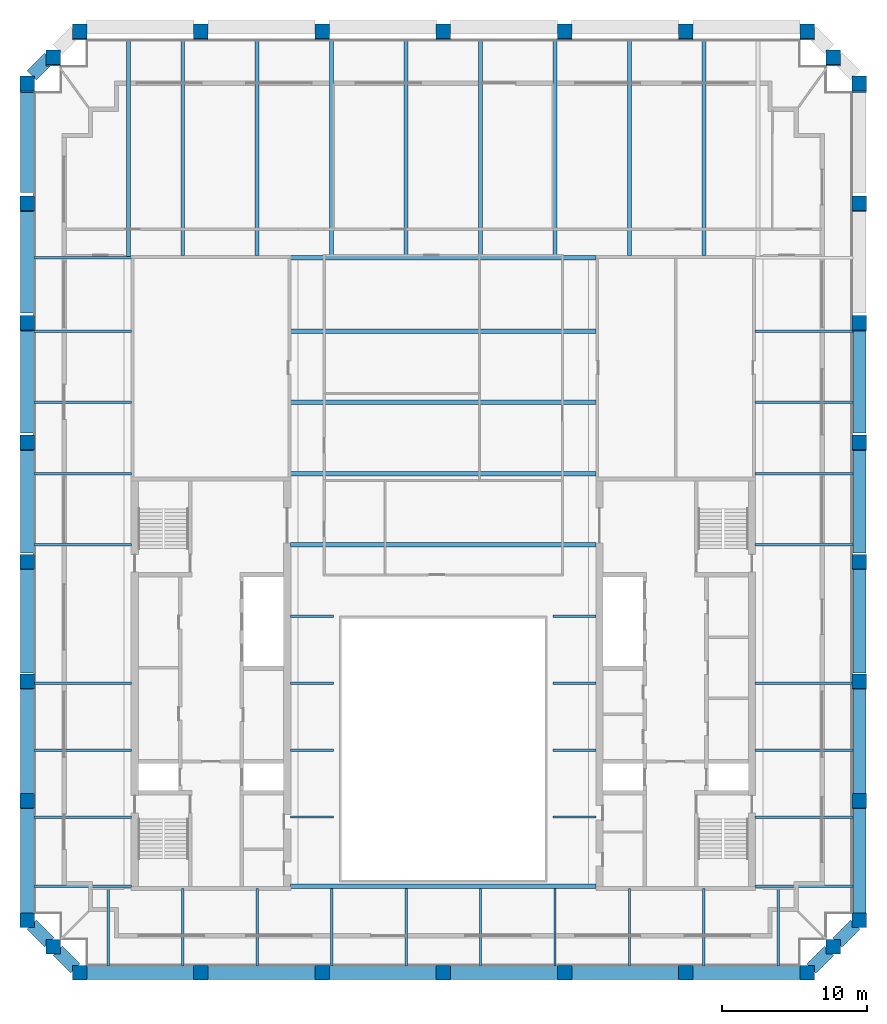
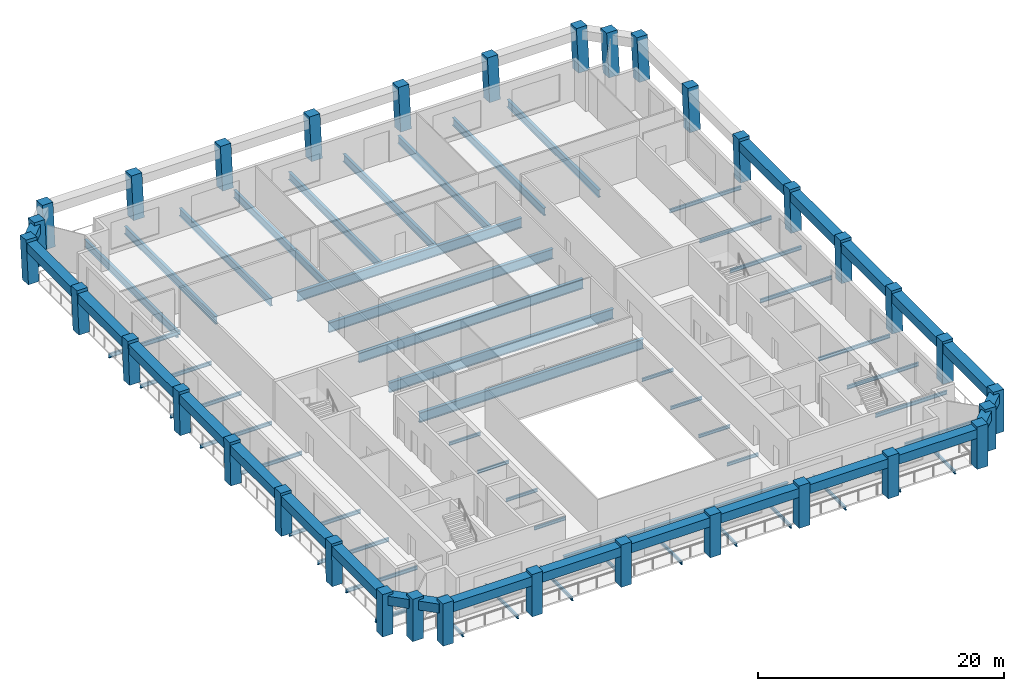
# One storey, part 1 of 7: 73 beams, 34 columns.
"""IFC4 building model written with IfcOpenShell, lengths in metres."""

import ifcopenshell
import ifcopenshell.guid

model = None  # the IFC model being written
_history = None  # IfcOwnerHistory: only IFC2X3 demands one
_inside = {}  # id of a spatial element -> (the spatial element, [elements in it])
_under = {}  # id of a project, library or spatial element -> (it, [spatial elements below it])
_declared = {}  # id of a project -> (the project, [libraries it declares])
_typed = {}  # id of a type object -> (the type object, [elements of that type])
_made_of = {}  # id of a material, layer set ... -> (it, [elements and type objects made of it])


def new_model(schema):
    """Start an empty IFC model of exactly this schema.

    Asked for "IFC4X3", IfcOpenShell would pick the latest addendum, in which some entities
    have other attributes; the version numbers below select the first issue.
    IFC2X3 requires an IfcOwnerHistory on every rooted entity: one is made here for all.
    """
    global model, _history
    if schema == "IFC4X3":
        model = ifcopenshell.file(schema_version=(4, 3, 0, 0))
    else:
        model = ifcopenshell.file(schema=schema)
    _inside.clear()
    _under.clear()
    _declared.clear()
    _typed.clear()
    _made_of.clear()
    _history = None
    if model.schema == "IFC2X3":
        org = make("IfcOrganization", Name="unknown")
        user = make(
            "IfcPersonAndOrganization",
            ThePerson=make("IfcPerson", FamilyName="unknown"),
            TheOrganization=org,
        )
        app = make(
            "IfcApplication",
            ApplicationDeveloper=org,
            Version="unknown",
            ApplicationFullName="unknown",
            ApplicationIdentifier="unknown",
        )
        _history = make(
            "IfcOwnerHistory",
            OwningUser=user,
            OwningApplication=app,
            ChangeAction="ADDED",
            CreationDate=0,
        )
    return model


def make(cls, **values):
    """One entity of the class cls with the attributes given. An attribute that is None is left unset."""
    return model.create_entity(
        cls, **{name: value for name, value in values.items() if value is not None}
    )


def rooted(cls, **values):
    """An entity with a GlobalId (a new one), such as an element, a storey or a relation."""
    return make(cls, GlobalId=ifcopenshell.guid.new(), OwnerHistory=_history, **values)


def si_unit(unit_type, name, prefix=None):
    """IfcSIUnit, for example si_unit("LENGTHUNIT", "METRE", prefix="MILLI")."""
    return make("IfcSIUnit", UnitType=unit_type, Prefix=prefix, Name=name)


def assignment(units):
    """IfcUnitAssignment: the units of a project."""
    return None if units is None else make("IfcUnitAssignment", Units=units)


def point(xyz):
    """IfcCartesianPoint."""
    return None if xyz is None else make("IfcCartesianPoint", Coordinates=xyz)


def direction(xyz):
    """IfcDirection."""
    return None if xyz is None else make("IfcDirection", DirectionRatios=xyz)


def frame(location, z_axis=None, x_axis=None):
    """IfcAxis2Placement3D, a coordinate frame: its origin and axes. An axis left out is left unset."""
    return make(
        "IfcAxis2Placement3D",
        Location=point(location),
        Axis=direction(z_axis),
        RefDirection=direction(x_axis),
    )


def frame_2d(location, x_axis=None):
    """IfcAxis2Placement2D, a coordinate frame in the plane: its origin and x axis."""
    return make(
        "IfcAxis2Placement2D", Location=point(location), RefDirection=direction(x_axis)
    )


def origin():
    """The frame at (0, 0, 0) with its axes left unset."""
    return frame((0.0, 0.0, 0.0))


def origin_2d():
    """The frame at (0, 0) in the plane with its x axis left unset."""
    return frame_2d((0.0, 0.0))


def place(relative_to, where):
    """IfcLocalPlacement: puts the frame where relative to a parent placement (None: the world)."""
    return make(
        "IfcLocalPlacement", PlacementRelTo=relative_to, RelativePlacement=where
    )


def context(
    kind, dimensions, precision=None, world=None, true_north=None, identifier=None
):
    """IfcGeometricRepresentationContext, for example the 3D "Model" context."""
    return make(
        "IfcGeometricRepresentationContext",
        ContextIdentifier=identifier,
        ContextType=kind,
        CoordinateSpaceDimension=dimensions,
        Precision=precision,
        WorldCoordinateSystem=world,
        TrueNorth=true_north,
    )


def subcontext(parent, identifier, kind, view, scale=None):
    """IfcGeometricRepresentationSubContext, for example "Body" below "Model"."""
    return make(
        "IfcGeometricRepresentationSubContext",
        ContextIdentifier=identifier,
        ContextType=kind,
        ParentContext=parent,
        TargetScale=scale,
        TargetView=view,
    )


def project(units=None, contexts=None):
    """IfcProject with its units and contexts."""
    return rooted(
        "IfcProject",
        Name="project",
        RepresentationContexts=contexts,
        UnitsInContext=assignment(units),
    )


def spatial(cls, under=None, at=None, **own):
    """A site, building, storey or space (cls), placed at a placement, below another one or the project."""
    s = rooted(cls, ObjectPlacement=at, **own)
    if under is not None:
        _under.setdefault(under.id(), (under, []))[1].append(s)
    return s


def profile(cls, at=None, kind="AREA", **sizes):
    """A parametric profile (cls). Its sizes go by their IFC names, for example OverallWidth=200.0."""
    return make(cls, ProfileType=kind, Position=at, **sizes)


def rectangle(**sizes):
    """IfcRectangleProfileDef."""
    return profile("IfcRectangleProfileDef", **sizes)


def i_section(**sizes):
    """IfcIShapeProfileDef."""
    return profile("IfcIShapeProfileDef", **sizes)


def extrude(swept, where, along, depth):
    """IfcExtrudedAreaSolid: the profile swept, set in the frame where, extruded along a direction by depth."""
    return make(
        "IfcExtrudedAreaSolid",
        SweptArea=swept,
        Position=where,
        ExtrudedDirection=direction(along),
        Depth=depth,
    )


def shape(context_of_items, identifier, shape_type, items):
    """IfcShapeRepresentation: the items that make up one representation, for example the "Body"."""
    return make(
        "IfcShapeRepresentation",
        ContextOfItems=context_of_items,
        RepresentationIdentifier=identifier,
        RepresentationType=shape_type,
        Items=items,
    )


def material(Name=None, Category=None):
    """IfcMaterial."""
    return make("IfcMaterial", Name=Name, Category=Category)


def material_profile(
    of_material, cross_section, Name=None, Category=None, Priority=None
):
    """IfcMaterialProfile: a cross section and its material."""
    return make(
        "IfcMaterialProfile",
        Name=Name,
        Material=of_material,
        Profile=cross_section,
        Priority=Priority,
        Category=Category,
    )


def profile_set(profiles, Name=None, composite=None):
    """IfcMaterialProfileSet."""
    return make(
        "IfcMaterialProfileSet",
        Name=Name,
        MaterialProfiles=profiles,
        CompositeProfile=composite,
    )


def made_of(thing, what):
    """Note that an element or type object is made of a material, layer set ...; save() writes the relation."""
    if what is not None:
        _made_of.setdefault(what.id(), (what, []))[1].append(thing)
    return thing


def type_object(cls, material=None, **own):
    """A type object (cls), such as IfcWallType, which elements share."""
    return made_of(rooted(cls, **own), material)


def element(
    cls,
    number,
    at=None,
    inside=None,
    cuts=None,
    type_object=None,
    material=None,
    context=None,
    identifier="Body",
    shape_type=None,
    held_by="IfcProductDefinitionShape",
    body=None,
    shapes=None,
    **own,
):
    """One element of the class cls, such as IfcWall. Its Tag is "e" and its number.

    at: its placement. inside: the storey or other place that contains it. cuts: it is an
    opening in that element (IfcRelVoidsElement). A single representation is given by context,
    identifier, shape_type and body (its items); several are given by shapes. held_by: the class
    of the entity that holds the representations. save() writes the other relations.
    """
    e = rooted(cls, Tag="e%d" % number, ObjectPlacement=at, **own)
    if body is not None:
        shapes = [shape(context, identifier, shape_type, body)]
    if shapes is not None:
        e.Representation = make(held_by, Representations=shapes)
    if inside is not None:
        _inside.setdefault(inside.id(), (inside, []))[1].append(e)
    if cuts is not None:
        rooted(
            "IfcRelVoidsElement", RelatingBuildingElement=cuts, RelatedOpeningElement=e
        )
    if type_object is not None:
        _typed.setdefault(type_object.id(), (type_object, []))[1].append(e)
    return made_of(e, material)


def aggregate(whole, parts):
    """IfcRelAggregates: a whole, such as a stair, and the parts it consists of."""
    return rooted("IfcRelAggregates", RelatingObject=whole, RelatedObjects=parts)


def save(model, path):
    """Write the relations noted so far, then the file.

    IfcRelAggregates (storeys below a building ...), IfcRelContainedInSpatialStructure (elements
    in a storey), IfcRelDefinesByType, IfcRelAssociatesMaterial and IfcRelDeclares: one each for
    every whole, place, type object, material and project.
    """
    for whole, parts in _under.values():
        aggregate(whole, parts)
    for where, things in _inside.values():
        rooted(
            "IfcRelContainedInSpatialStructure",
            RelatedElements=things,
            RelatingStructure=where,
        )
    for kind, things in _typed.values():
        rooted("IfcRelDefinesByType", RelatedObjects=things, RelatingType=kind)
    for what, things in _made_of.values():
        rooted("IfcRelAssociatesMaterial", RelatedObjects=things, RelatingMaterial=what)
    for by, libraries in _declared.values():
        rooted("IfcRelDeclares", RelatingContext=by, RelatedDefinitions=libraries)
    model.write(path)


model = new_model("IFC4")

# Units and contexts
model_context = context("Model", 3, precision=1e-05, world=origin(), true_north=direction((0.0, 1.0)))
body_context = subcontext(model_context, "Body", "Model", "MODEL_VIEW")
ifc_project = project(units=[si_unit("LENGTHUNIT", "METRE"), si_unit("AREAUNIT", "SQUARE_METRE"), si_unit("VOLUMEUNIT", "CUBIC_METRE"), si_unit("PLANEANGLEUNIT", "RADIAN"), si_unit("MASSUNIT", "GRAM", prefix="KILO")], contexts=[model_context])

# Site, building, storey
site_placement = place(None, origin())
site = spatial("IfcSite", under=ifc_project, at=site_placement, CompositionType="ELEMENT")
building_placement = place(site_placement, origin())
building = spatial("IfcBuilding", under=site, at=building_placement, Name="Ogive Exchange Tower", CompositionType="ELEMENT")
storey_placement = place(building_placement, frame((0.0, 0.0, 313.199951171875)))
storey = spatial("IfcBuildingStorey", under=building, at=storey_placement, Name="L68", CompositionType="ELEMENT", Elevation=313.199951171875)

# Columns
ifc_material_1 = material(Name="Precast concrete C70/85 (limestone faced)", Category="masonry")
ifc_material_profile_1 = material_profile(ifc_material_1, rectangle(XDim=1.0, YDim=1.0, at=origin_2d()), Name="1000 x 1000")
ifc_profile_set_1 = profile_set([ifc_material_profile_1], Name="Precast concrete C70/85 (limestone faced)")
column_type = type_object("IfcColumnType", Name="Precast exoskeleton leg 1000 x 1000 C70/85", PredefinedType="COLUMN", material=ifc_profile_set_1)
for number, where, z_axis, x_axis, name in (
    (1, (-25.050048828125, -8.39990234375, 0.0), (0.0, 0.0, 1.0), (1.0, 0.0, 0.0), "Exoskeleton leg 1"),
    (2, (-16.699951171875, -8.39990234375, 0.0), (0.0, 0.0, 1.0), (1.0, 0.0, 0.0), "Exoskeleton leg 2"),
    (3, (-8.35009765625, -8.39990234375, 0.0), (0.0, 0.0, 1.0), (1.0, 0.0, 0.0), "Exoskeleton leg 3"),
    (4, (0.0, -8.39990234375, 0.0), (0.0, 0.0, 1.0), (1.0, 0.0, 0.0), "Exoskeleton leg 4"),
    (5, (8.35009765625, -8.39990234375, 0.0), (0.0, 0.0, 1.0), (1.0, 0.0, 0.0), "Exoskeleton leg 5"),
    (6, (16.699951171875, -8.39990234375, 0.0), (0.0, 0.0, 1.0), (1.0, 0.0, 0.0), "Exoskeleton leg 6"),
    (7, (25.050048828125, -8.39990234375, 0.0), (0.0, 0.0, 1.0), (1.0, 0.0, 0.0), "Exoskeleton leg 7"),
    (8, (28.64990234375, -4.800048828125, 0.0), (0.0, 0.0, 1.0), (1.0, 0.0, 0.0), "Exoskeleton leg 8"),
):
    element("IfcColumn", number, at=place(storey_placement, frame(where, z_axis=z_axis, x_axis=x_axis)), inside=storey, type_object=column_type, Name=name, PredefinedType="COLUMN", context=body_context, shape_type="SweptSolid", body=[
        extrude(rectangle(XDim=1.0, YDim=1.0, at=origin_2d()), origin(), (0.0, 0.0, 1.0), 4.199951171875),
    ])
column_1_placement = place(storey_placement, frame((28.64990234375, 3.418212890625, 0.0), z_axis=(0.0, 0.012961766342, 0.999915992778), x_axis=(-1.0, 0.0, 0.0)))
element("IfcColumn", 9, at=column_1_placement, inside=storey, type_object=column_type, Name="Exoskeleton leg 9", PredefinedType="COLUMN", context=body_context, shape_type="SweptSolid", body=[
    extrude(rectangle(XDim=1.0, YDim=1.0, at=origin_2d()), origin(), (0.0, 0.0, 1.0), 4.2001953125),
])
column_2_placement = place(storey_placement, frame((28.64990234375, 11.636474609375, 0.0), z_axis=(0.0, 0.025975072843, 0.999662590873), x_axis=(-1.0, 0.0, 0.0)))
element("IfcColumn", 10, at=column_2_placement, inside=storey, type_object=column_type, Name="Exoskeleton leg 10", PredefinedType="COLUMN", context=body_context, shape_type="SweptSolid", body=[
    extrude(rectangle(XDim=1.0, YDim=1.0, at=origin_2d()), origin(), (0.0, 0.0, 1.0), 4.201416015625),
])
column_3_placement = place(storey_placement, frame((28.64990234375, 19.8544921875, 0.0), z_axis=(0.0, 0.038975188043, 0.999240178694), x_axis=(-1.0, 0.0, 0.0)))
element("IfcColumn", 11, at=column_3_placement, inside=storey, type_object=column_type, Name="Exoskeleton leg 11", PredefinedType="COLUMN", context=body_context, shape_type="SweptSolid", body=[
    extrude(rectangle(XDim=1.0, YDim=1.0, at=origin_2d()), origin(), (0.0, 0.0, 1.0), 4.203125),
])
column_4_placement = place(storey_placement, frame((28.64990234375, 28.07275390625, 0.0), z_axis=(0.0, 0.051897648879, 0.99865240902), x_axis=(-1.0, 0.0, 0.0)))
element("IfcColumn", 12, at=column_4_placement, inside=storey, type_object=column_type, Name="Exoskeleton leg 12", PredefinedType="COLUMN", context=body_context, shape_type="SweptSolid", body=[
    extrude(rectangle(XDim=1.0, YDim=1.0, at=origin_2d()), origin(), (0.0, 0.0, 1.0), 4.20556640625),
])
column_5_placement = place(storey_placement, frame((28.64990234375, 36.291015625, 0.0), z_axis=(0.0, 0.064794093908, 0.997898654872), x_axis=(-1.0, 0.0, 0.0)))
element("IfcColumn", 13, at=column_5_placement, inside=storey, type_object=column_type, Name="Exoskeleton leg 13", PredefinedType="COLUMN", context=body_context, shape_type="SweptSolid", body=[
    extrude(rectangle(XDim=1.0, YDim=1.0, at=origin_2d()), origin(), (0.0, 0.0, 1.0), 4.208740234375),
])
column_6_placement = place(storey_placement, frame((28.64990234375, 44.509033203125, 0.0), z_axis=(0.0, 0.07771576013, 0.996975556685), x_axis=(-1.0, 0.0, 0.0)))
element("IfcColumn", 14, at=column_6_placement, inside=storey, type_object=column_type, Name="Exoskeleton leg 14", PredefinedType="COLUMN", context=body_context, shape_type="SweptSolid", body=[
    extrude(rectangle(XDim=1.0, YDim=1.0, at=origin_2d()), origin(), (0.0, 0.0, 1.0), 4.212646484375),
])
for number, where, z_axis, x_axis, name in (
    (15, (28.64990234375, 52.727294921875, 0.0), (0.0, 0.090540965689, 0.995892731941), (-1.0, 0.0, 0.0), "Exoskeleton leg 15"),
    (16, (25.050048828125, 56.327392578125, 0.0), (0.0, 0.090483549163, 0.995897950259), (-1.0, 0.0, 0.0), "Exoskeleton leg 16"),
    (17, (16.699951171875, 56.327392578125, 0.0), (0.0, 0.090483549163, 0.995897950259), (-1.0, 0.0, 0.0), "Exoskeleton leg 17"),
    (18, (8.35009765625, 56.327392578125, 0.0), (0.0, 0.090483549163, 0.995897950259), (-1.0, 0.0, 0.0), "Exoskeleton leg 18"),
    (19, (0.0, 56.327392578125, 0.0), (0.0, 0.090483549163, 0.995897950259), (-1.0, 0.0, 0.0), "Exoskeleton leg 19"),
    (20, (-8.35009765625, 56.327392578125, 0.0), (0.0, 0.090483549163, 0.995897950259), (-1.0, 0.0, 0.0), "Exoskeleton leg 20"),
    (21, (-16.699951171875, 56.327392578125, 0.0), (0.0, 0.090483549163, 0.995897950259), (-1.0, 0.0, 0.0), "Exoskeleton leg 21"),
    (22, (-25.050048828125, 56.327392578125, 0.0), (0.0, 0.090483549163, 0.995897950259), (-1.0, 0.0, 0.0), "Exoskeleton leg 22"),
    (23, (-28.64990234375, 52.727294921875, 0.0), (0.0, 0.090540965689, 0.995892731941), (-1.0, 0.0, 0.0), "Exoskeleton leg 23"),
):
    element("IfcColumn", number, at=place(storey_placement, frame(where, z_axis=z_axis, x_axis=x_axis)), inside=storey, type_object=column_type, Name=name, PredefinedType="COLUMN", context=body_context, shape_type="SweptSolid", body=[
        extrude(rectangle(XDim=1.0, YDim=1.0, at=origin_2d()), origin(), (0.0, 0.0, 1.0), 4.21728515625),
    ])
column_7_placement = place(storey_placement, frame((-28.64990234375, 44.509033203125, 0.0), z_axis=(0.0, 0.07771576013, 0.996975556685), x_axis=(-1.0, 0.0, 0.0)))
element("IfcColumn", 24, at=column_7_placement, inside=storey, type_object=column_type, Name="Exoskeleton leg 24", PredefinedType="COLUMN", context=body_context, shape_type="SweptSolid", body=[
    extrude(rectangle(XDim=1.0, YDim=1.0, at=origin_2d()), origin(), (0.0, 0.0, 1.0), 4.212646484375),
])
column_8_placement = place(storey_placement, frame((-28.64990234375, 36.291015625, 0.0), z_axis=(0.0, 0.064794093908, 0.997898654872), x_axis=(-1.0, 0.0, 0.0)))
element("IfcColumn", 25, at=column_8_placement, inside=storey, type_object=column_type, Name="Exoskeleton leg 25", PredefinedType="COLUMN", context=body_context, shape_type="SweptSolid", body=[
    extrude(rectangle(XDim=1.0, YDim=1.0, at=origin_2d()), origin(), (0.0, 0.0, 1.0), 4.208740234375),
])
column_9_placement = place(storey_placement, frame((-28.64990234375, 28.07275390625, 0.0), z_axis=(0.0, 0.051897648879, 0.99865240902), x_axis=(-1.0, 0.0, 0.0)))
element("IfcColumn", 26, at=column_9_placement, inside=storey, type_object=column_type, Name="Exoskeleton leg 26", PredefinedType="COLUMN", context=body_context, shape_type="SweptSolid", body=[
    extrude(rectangle(XDim=1.0, YDim=1.0, at=origin_2d()), origin(), (0.0, 0.0, 1.0), 4.20556640625),
])
column_10_placement = place(storey_placement, frame((-28.64990234375, 19.8544921875, 0.0), z_axis=(0.0, 0.038975188043, 0.999240178694), x_axis=(-1.0, 0.0, 0.0)))
element("IfcColumn", 27, at=column_10_placement, inside=storey, type_object=column_type, Name="Exoskeleton leg 27", PredefinedType="COLUMN", context=body_context, shape_type="SweptSolid", body=[
    extrude(rectangle(XDim=1.0, YDim=1.0, at=origin_2d()), origin(), (0.0, 0.0, 1.0), 4.203125),
])
column_11_placement = place(storey_placement, frame((-28.64990234375, 11.636474609375, 0.0), z_axis=(0.0, 0.025975072843, 0.999662590873), x_axis=(-1.0, 0.0, 0.0)))
element("IfcColumn", 28, at=column_11_placement, inside=storey, type_object=column_type, Name="Exoskeleton leg 28", PredefinedType="COLUMN", context=body_context, shape_type="SweptSolid", body=[
    extrude(rectangle(XDim=1.0, YDim=1.0, at=origin_2d()), origin(), (0.0, 0.0, 1.0), 4.201416015625),
])
column_12_placement = place(storey_placement, frame((-28.64990234375, 3.418212890625, 0.0), z_axis=(0.0, 0.012961766342, 0.999915992778), x_axis=(-1.0, 0.0, 0.0)))
element("IfcColumn", 29, at=column_12_placement, inside=storey, type_object=column_type, Name="Exoskeleton leg 29", PredefinedType="COLUMN", context=body_context, shape_type="SweptSolid", body=[
    extrude(rectangle(XDim=1.0, YDim=1.0, at=origin_2d()), origin(), (0.0, 0.0, 1.0), 4.2001953125),
])
for number, where, z_axis, x_axis, name in (
    (30, (-28.64990234375, -4.800048828125, 0.0), (0.0, 0.0, 1.0), (1.0, 0.0, 0.0), "Exoskeleton leg 30"),
    (31, (26.85009765625, -6.60009765625, 0.0), (0.0, 0.0, 1.0), (1.0, 0.0, 0.0), "Exoskeleton leg 31"),
):
    element("IfcColumn", number, at=place(storey_placement, frame(where, z_axis=z_axis, x_axis=x_axis)), inside=storey, type_object=column_type, Name=name, PredefinedType="COLUMN", context=body_context, shape_type="SweptSolid", body=[
        extrude(rectangle(XDim=1.0, YDim=1.0, at=origin_2d()), origin(), (0.0, 0.0, 1.0), 4.199951171875),
    ])
for number, where, z_axis, x_axis, name in (
    (32, (26.85009765625, 54.52734375, 0.0), (0.0, 0.090540965689, 0.995892731941), (-1.0, 0.0, 0.0), "Exoskeleton leg 32"),
    (33, (-26.85009765625, 54.52734375, 0.0), (0.0, 0.090540965689, 0.995892731941), (-1.0, 0.0, 0.0), "Exoskeleton leg 33"),
):
    element("IfcColumn", number, at=place(storey_placement, frame(where, z_axis=z_axis, x_axis=x_axis)), inside=storey, type_object=column_type, Name=name, PredefinedType="COLUMN", context=body_context, shape_type="SweptSolid", body=[
        extrude(rectangle(XDim=1.0, YDim=1.0, at=origin_2d()), origin(), (0.0, 0.0, 1.0), 4.21728515625),
    ])
column_13_placement = place(storey_placement, frame((-26.85009765625, -6.60009765625, 0.0), z_axis=(0.0, 0.0, 1.0), x_axis=(1.0, 0.0, 0.0)))
element("IfcColumn", 34, at=column_13_placement, inside=storey, type_object=column_type, Name="Exoskeleton leg 34", PredefinedType="COLUMN", context=body_context, shape_type="SweptSolid", body=[
    extrude(rectangle(XDim=1.0, YDim=1.0, at=origin_2d()), origin(), (0.0, 0.0, 1.0), 4.199951171875),
])

# Beams
ifc_material_2 = material(Name="Steel ASTM A992 Gr50", Category="steel")
ifc_material_profile_2 = material_profile(ifc_material_2, i_section(OverallWidth=0.300048828125, OverallDepth=0.97998046875, WebThickness=0.0166015625, FlangeThickness=0.026123046875, at=origin_2d()), Name="W1000x249")
ifc_profile_set_2 = profile_set([ifc_material_profile_2], Name="Steel ASTM A992 Gr50")
beam_type_1 = type_object("IfcBeamType", Name="Floor beam W1000x249", PredefinedType="JOIST", material=ifc_profile_set_2)
for number, where, z_axis, x_axis, name in (
    (35, (-10.52001953125, 21.06201171875, -0.68994140625), (1.0, 0.0, 0.0), (0.0, 1.0, 0.0), "Floor beam"),
    (36, (-10.52001953125, 25.968994140625, -0.68994140625), (1.0, 0.0, 0.0), (0.0, 1.0, 0.0), "Floor beam"),
    (37, (-10.52001953125, 30.8759765625, -0.68994140625), (1.0, 0.0, 0.0), (0.0, 1.0, 0.0), "Floor beam"),
    (38, (-10.52001953125, 35.782958984375, -0.68994140625), (1.0, 0.0, 0.0), (0.0, 1.0, 0.0), "Floor beam"),
):
    element("IfcBeam", number, at=place(storey_placement, frame(where, z_axis=z_axis, x_axis=x_axis)), inside=storey, type_object=beam_type_1, Name=name, PredefinedType="JOIST", context=body_context, shape_type="SweptSolid", body=[
        extrude(i_section(OverallWidth=0.300048828125, OverallDepth=0.97998046875, WebThickness=0.0166015625, FlangeThickness=0.026123046875, at=origin_2d()), origin(), (0.0, 0.0, 1.0), 21.0400390625),
    ])
ifc_material_profile_3 = material_profile(ifc_material_2, i_section(OverallWidth=0.1650390625, OverallDepth=0.31005859375, WebThickness=0.005859375, FlangeThickness=0.009765625, at=origin_2d()), Name="W310x38.7")
ifc_profile_set_3 = profile_set([ifc_material_profile_3], Name="Steel ASTM A992 Gr50")
beam_type_2 = type_object("IfcBeamType", Name="Floor beam W310x38.7", PredefinedType="JOIST", material=ifc_profile_set_3)
for number, where, z_axis, x_axis, name in (
    (39, (-10.52001953125, 2.3212890625, -0.35498046875), (1.0, 0.0, 0.0), (0.0, 1.0, 0.0), "Floor beam"),
    (40, (7.570068359375, 2.3212890625, -0.35498046875), (1.0, 0.0, 0.0), (0.0, 1.0, 0.0), "Floor beam"),
    (41, (-10.52001953125, 6.9326171875, -0.35498046875), (1.0, 0.0, 0.0), (0.0, 1.0, 0.0), "Floor beam"),
    (42, (7.570068359375, 6.9326171875, -0.35498046875), (1.0, 0.0, 0.0), (0.0, 1.0, 0.0), "Floor beam"),
    (43, (-10.52001953125, 11.543701171875, -0.35498046875), (1.0, 0.0, 0.0), (0.0, 1.0, 0.0), "Floor beam"),
    (44, (7.570068359375, 11.543701171875, -0.35498046875), (1.0, 0.0, 0.0), (0.0, 1.0, 0.0), "Floor beam"),
):
    element("IfcBeam", number, at=place(storey_placement, frame(where, z_axis=z_axis, x_axis=x_axis)), inside=storey, type_object=beam_type_2, Name=name, PredefinedType="JOIST", context=body_context, shape_type="SweptSolid", body=[
        extrude(i_section(OverallWidth=0.1650390625, OverallDepth=0.31005859375, WebThickness=0.005859375, FlangeThickness=0.009765625, at=origin_2d()), origin(), (0.0, 0.0, 1.0), 2.949951171875),
    ])
beam_1_placement = place(storey_placement, frame((-23.07275390625, -7.949951171875, -0.35498046875), z_axis=(0.0, 1.0, 0.0), x_axis=(-1.0, 0.0, 0.0)))
element("IfcBeam", 45, at=beam_1_placement, inside=storey, type_object=beam_type_2, Name="Floor beam", PredefinedType="JOIST", context=body_context, shape_type="SweptSolid", body=[
    extrude(i_section(OverallWidth=0.1650390625, OverallDepth=0.31005859375, WebThickness=0.005859375, FlangeThickness=0.009765625, at=origin_2d()), origin(), (0.0, 0.0, 1.0), 5.416015625),
])
for number, where, z_axis, x_axis, name in (
    (46, (-17.945556640625, -7.949951171875, -0.35498046875), (0.0, 1.0, 0.0), (-1.0, 0.0, 0.0), "Floor beam"),
    (47, (-12.818115234375, -7.949951171875, -0.35498046875), (0.0, 1.0, 0.0), (-1.0, 0.0, 0.0), "Floor beam"),
):
    element("IfcBeam", number, at=place(storey_placement, frame(where, z_axis=z_axis, x_axis=x_axis)), inside=storey, type_object=beam_type_2, Name=name, PredefinedType="JOIST", context=body_context, shape_type="SweptSolid", body=[
        extrude(i_section(OverallWidth=0.1650390625, OverallDepth=0.31005859375, WebThickness=0.005859375, FlangeThickness=0.009765625, at=origin_2d()), origin(), (0.0, 0.0, 1.0), 5.349853515625),
    ])
for number, where, z_axis, x_axis, name in (
    (48, (-7.69091796875, -7.949951171875, -0.35498046875), (0.0, 1.0, 0.0), (-1.0, 0.0, 0.0), "Floor beam"),
    (49, (-2.563720703125, -7.949951171875, -0.35498046875), (0.0, 1.0, 0.0), (-1.0, 0.0, 0.0), "Floor beam"),
    (50, (2.563720703125, -7.949951171875, -0.35498046875), (0.0, 1.0, 0.0), (-1.0, 0.0, 0.0), "Floor beam"),
    (51, (7.69091796875, -7.949951171875, -0.35498046875), (0.0, 1.0, 0.0), (-1.0, 0.0, 0.0), "Floor beam"),
):
    element("IfcBeam", number, at=place(storey_placement, frame(where, z_axis=z_axis, x_axis=x_axis)), inside=storey, type_object=beam_type_2, Name=name, PredefinedType="JOIST", context=body_context, shape_type="SweptSolid", body=[
        extrude(i_section(OverallWidth=0.1650390625, OverallDepth=0.31005859375, WebThickness=0.005859375, FlangeThickness=0.009765625, at=origin_2d()), origin(), (0.0, 0.0, 1.0), 5.35498046875),
    ])
for number, where, z_axis, x_axis, name in (
    (52, (12.818115234375, -7.949951171875, -0.35498046875), (0.0, 1.0, 0.0), (-1.0, 0.0, 0.0), "Floor beam"),
    (53, (17.945556640625, -7.949951171875, -0.35498046875), (0.0, 1.0, 0.0), (-1.0, 0.0, 0.0), "Floor beam"),
):
    element("IfcBeam", number, at=place(storey_placement, frame(where, z_axis=z_axis, x_axis=x_axis)), inside=storey, type_object=beam_type_2, Name=name, PredefinedType="JOIST", context=body_context, shape_type="SweptSolid", body=[
        extrude(i_section(OverallWidth=0.1650390625, OverallDepth=0.31005859375, WebThickness=0.005859375, FlangeThickness=0.009765625, at=origin_2d()), origin(), (0.0, 0.0, 1.0), 5.349853515625),
    ])
beam_2_placement = place(storey_placement, frame((23.07275390625, -7.949951171875, -0.35498046875), z_axis=(0.0, 1.0, 0.0), x_axis=(-1.0, 0.0, 0.0)))
element("IfcBeam", 54, at=beam_2_placement, inside=storey, type_object=beam_type_2, Name="Floor beam", PredefinedType="JOIST", context=body_context, shape_type="SweptSolid", body=[
    extrude(i_section(OverallWidth=0.1650390625, OverallDepth=0.31005859375, WebThickness=0.005859375, FlangeThickness=0.009765625, at=origin_2d()), origin(), (0.0, 0.0, 1.0), 5.416015625),
])
ifc_material_profile_4 = material_profile(ifc_material_2, i_section(OverallWidth=0.1708984375, OverallDepth=0.35595703125, WebThickness=0.00732421875, FlangeThickness=0.01171875, at=origin_2d()), Name="W360x51")
ifc_profile_set_4 = profile_set([ifc_material_profile_4], Name="Steel ASTM A992 Gr50")
beam_type_3 = type_object("IfcBeamType", Name="Floor beam W360x51", PredefinedType="JOIST", material=ifc_profile_set_4)
for number, where, z_axis, x_axis, name in (
    (55, (-28.199951171875, 2.3212890625, -0.3779296875), (1.0, 0.0, 0.0), (0.0, 1.0, 0.0), "Floor beam"),
    (56, (21.47998046875, 2.3212890625, -0.3779296875), (1.0, 0.0, 0.0), (0.0, 1.0, 0.0), "Floor beam"),
    (57, (-28.199951171875, 6.9326171875, -0.3779296875), (1.0, 0.0, 0.0), (0.0, 1.0, 0.0), "Floor beam"),
    (58, (21.47998046875, 6.9326171875, -0.3779296875), (1.0, 0.0, 0.0), (0.0, 1.0, 0.0), "Floor beam"),
    (59, (-28.199951171875, 11.543701171875, -0.3779296875), (1.0, 0.0, 0.0), (0.0, 1.0, 0.0), "Floor beam"),
    (60, (21.47998046875, 11.543701171875, -0.3779296875), (1.0, 0.0, 0.0), (0.0, 1.0, 0.0), "Floor beam"),
    (61, (-28.199951171875, 21.06201171875, -0.3779296875), (1.0, 0.0, 0.0), (0.0, 1.0, 0.0), "Floor beam"),
    (62, (21.47998046875, 21.06201171875, -0.3779296875), (1.0, 0.0, 0.0), (0.0, 1.0, 0.0), "Floor beam"),
    (63, (-28.199951171875, 25.968994140625, -0.3779296875), (1.0, 0.0, 0.0), (0.0, 1.0, 0.0), "Floor beam"),
    (64, (21.47998046875, 25.968994140625, -0.3779296875), (1.0, 0.0, 0.0), (0.0, 1.0, 0.0), "Floor beam"),
    (65, (-28.199951171875, 30.8759765625, -0.3779296875), (1.0, 0.0, 0.0), (0.0, 1.0, 0.0), "Floor beam"),
    (66, (21.47998046875, 30.8759765625, -0.3779296875), (1.0, 0.0, 0.0), (0.0, 1.0, 0.0), "Floor beam"),
    (67, (-28.199951171875, 35.782958984375, -0.3779296875), (1.0, 0.0, 0.0), (0.0, 1.0, 0.0), "Floor beam"),
    (68, (21.47998046875, 35.782958984375, -0.3779296875), (1.0, 0.0, 0.0), (0.0, 1.0, 0.0), "Floor beam"),
):
    element("IfcBeam", number, at=place(storey_placement, frame(where, z_axis=z_axis, x_axis=x_axis)), inside=storey, type_object=beam_type_3, Name=name, PredefinedType="JOIST", context=body_context, shape_type="SweptSolid", body=[
        extrude(i_section(OverallWidth=0.1708984375, OverallDepth=0.35595703125, WebThickness=0.00732421875, FlangeThickness=0.01171875, at=origin_2d()), origin(), (0.0, 0.0, 1.0), 6.719970703125),
    ])
ifc_material_profile_5 = material_profile(ifc_material_2, i_section(OverallWidth=0.26708984375, OverallDepth=0.75390625, WebThickness=0.01318359375, FlangeThickness=0.01708984375, at=origin_2d()), Name="W760x147")
ifc_profile_set_5 = profile_set([ifc_material_profile_5], Name="Steel ASTM A992 Gr50")
beam_type_4 = type_object("IfcBeamType", Name="Floor beam W760x147", PredefinedType="JOIST", material=ifc_profile_set_5)
beam_3_placement = place(storey_placement, frame((-21.672607421875, 40.93408203125, -0.576904296875), z_axis=(0.0, 1.0, 0.0), x_axis=(-1.0, 0.0, 0.0)))
element("IfcBeam", 69, at=beam_3_placement, inside=storey, type_object=beam_type_4, Name="Floor beam", PredefinedType="JOIST", context=body_context, shape_type="SweptSolid", body=[
    extrude(i_section(OverallWidth=0.26708984375, OverallDepth=0.75390625, WebThickness=0.01318359375, FlangeThickness=0.01708984375, at=origin_2d()), origin(), (0.0, 0.0, 1.0), 14.943115234375),
])
for number, where, z_axis, x_axis, name in (
    (70, (-17.945556640625, 41.0, -0.576904296875), (0.0, 1.0, 0.0), (-1.0, 0.0, 0.0), "Floor beam"),
    (71, (-12.818115234375, 41.0, -0.576904296875), (0.0, 1.0, 0.0), (-1.0, 0.0, 0.0), "Floor beam"),
):
    element("IfcBeam", number, at=place(storey_placement, frame(where, z_axis=z_axis, x_axis=x_axis)), inside=storey, type_object=beam_type_4, Name=name, PredefinedType="JOIST", context=body_context, shape_type="SweptSolid", body=[
        extrude(i_section(OverallWidth=0.26708984375, OverallDepth=0.75390625, WebThickness=0.01318359375, FlangeThickness=0.01708984375, at=origin_2d()), origin(), (0.0, 0.0, 1.0), 14.877197265625),
    ])
for number, where, z_axis, x_axis, name in (
    (72, (-7.69091796875, 40.9951171875, -0.576904296875), (0.0, 1.0, 0.0), (-1.0, 0.0, 0.0), "Floor beam"),
    (73, (-2.563720703125, 40.9951171875, -0.576904296875), (0.0, 1.0, 0.0), (-1.0, 0.0, 0.0), "Floor beam"),
    (74, (2.563720703125, 40.9951171875, -0.576904296875), (0.0, 1.0, 0.0), (-1.0, 0.0, 0.0), "Floor beam"),
    (75, (7.69091796875, 40.9951171875, -0.576904296875), (0.0, 1.0, 0.0), (-1.0, 0.0, 0.0), "Floor beam"),
):
    element("IfcBeam", number, at=place(storey_placement, frame(where, z_axis=z_axis, x_axis=x_axis)), inside=storey, type_object=beam_type_4, Name=name, PredefinedType="JOIST", context=body_context, shape_type="SweptSolid", body=[
        extrude(i_section(OverallWidth=0.26708984375, OverallDepth=0.75390625, WebThickness=0.01318359375, FlangeThickness=0.01708984375, at=origin_2d()), origin(), (0.0, 0.0, 1.0), 14.882080078125),
    ])
for number, where, z_axis, x_axis, name in (
    (76, (12.818115234375, 41.0, -0.576904296875), (0.0, 1.0, 0.0), (-1.0, 0.0, 0.0), "Floor beam"),
    (77, (17.945556640625, 41.0, -0.576904296875), (0.0, 1.0, 0.0), (-1.0, 0.0, 0.0), "Floor beam"),
):
    element("IfcBeam", number, at=place(storey_placement, frame(where, z_axis=z_axis, x_axis=x_axis)), inside=storey, type_object=beam_type_4, Name=name, PredefinedType="JOIST", context=body_context, shape_type="SweptSolid", body=[
        extrude(i_section(OverallWidth=0.26708984375, OverallDepth=0.75390625, WebThickness=0.01318359375, FlangeThickness=0.01708984375, at=origin_2d()), origin(), (0.0, 0.0, 1.0), 14.877197265625),
    ])
ifc_material_profile_6 = material_profile(ifc_material_2, i_section(OverallWidth=0.300048828125, OverallDepth=0.97998046875, WebThickness=0.0166015625, FlangeThickness=0.026123046875, at=origin_2d()), Name="W1000x249")
ifc_profile_set_6 = profile_set([ifc_material_profile_6], Name="Steel ASTM A992 Gr50")
beam_type_5 = type_object("IfcBeamType", Name="Girder W1000x249", PredefinedType="BEAM", material=ifc_profile_set_6)
for number, where, z_axis, x_axis, name in (
    (78, (-10.52001953125, -2.445068359375, -0.68994140625), (1.0, 0.0, 0.0), (0.0, 1.0, 0.0), "Header girder"),
    (79, (-10.52001953125, 40.844970703125, -0.68994140625), (1.0, 0.0, 0.0), (0.0, 1.0, 0.0), "Header girder"),
):
    element("IfcBeam", number, at=place(storey_placement, frame(where, z_axis=z_axis, x_axis=x_axis)), inside=storey, type_object=beam_type_5, Name=name, PredefinedType="BEAM", context=body_context, shape_type="SweptSolid", body=[
        extrude(i_section(OverallWidth=0.300048828125, OverallDepth=0.97998046875, WebThickness=0.0166015625, FlangeThickness=0.026123046875, at=origin_2d()), origin(), (0.0, 0.0, 1.0), 21.0400390625),
    ])
ifc_material_profile_7 = material_profile(ifc_material_2, i_section(OverallWidth=0.1650390625, OverallDepth=0.31005859375, WebThickness=0.005859375, FlangeThickness=0.009765625, at=origin_2d()), Name="W310x38.7")
ifc_profile_set_7 = profile_set([ifc_material_profile_7], Name="Steel ASTM A992 Gr50")
beam_type_6 = type_object("IfcBeamType", Name="Girder W310x38.7", PredefinedType="BEAM", material=ifc_profile_set_7)
for number, where, z_axis, x_axis, name in (
    (80, (-10.52001953125, 16.155029296875, -0.35498046875), (1.0, 0.0, 0.0), (0.0, 1.0, 0.0), "Trimmer girder"),
    (81, (7.570068359375, 16.155029296875, -0.35498046875), (1.0, 0.0, 0.0), (0.0, 1.0, 0.0), "Trimmer girder"),
):
    element("IfcBeam", number, at=place(storey_placement, frame(where, z_axis=z_axis, x_axis=x_axis)), inside=storey, type_object=beam_type_6, Name=name, PredefinedType="BEAM", context=body_context, shape_type="SweptSolid", body=[
        extrude(i_section(OverallWidth=0.1650390625, OverallDepth=0.31005859375, WebThickness=0.005859375, FlangeThickness=0.009765625, at=origin_2d()), origin(), (0.0, 0.0, 1.0), 2.949951171875),
    ])
ifc_material_profile_8 = material_profile(ifc_material_2, i_section(OverallWidth=0.177978515625, OverallDepth=0.406005859375, WebThickness=0.0078125, FlangeThickness=0.0126953125, at=origin_2d()), Name="W410x60")
ifc_profile_set_8 = profile_set([ifc_material_profile_8], Name="Steel ASTM A992 Gr50")
beam_type_7 = type_object("IfcBeamType", Name="Girder W410x60", PredefinedType="BEAM", material=ifc_profile_set_8)
for number, where, z_axis, x_axis, name in (
    (82, (-28.199951171875, -2.445068359375, -0.40283203125), (1.0, 0.0, 0.0), (0.0, 1.0, 0.0), "Header girder"),
    (83, (21.47998046875, -2.445068359375, -0.40283203125), (1.0, 0.0, 0.0), (0.0, 1.0, 0.0), "Header girder"),
    (84, (-28.199951171875, 40.844970703125, -0.40283203125), (1.0, 0.0, 0.0), (0.0, 1.0, 0.0), "Header girder"),
):
    element("IfcBeam", number, at=place(storey_placement, frame(where, z_axis=z_axis, x_axis=x_axis)), inside=storey, type_object=beam_type_7, Name=name, PredefinedType="BEAM", context=body_context, shape_type="SweptSolid", body=[
        extrude(i_section(OverallWidth=0.177978515625, OverallDepth=0.406005859375, WebThickness=0.0078125, FlangeThickness=0.0126953125, at=origin_2d()), origin(), (0.0, 0.0, 1.0), 6.719970703125),
    ])
ifc_material_profile_9 = material_profile(ifc_material_1, rectangle(XDim=0.89990234375, YDim=0.89990234375, at=origin_2d()), Name="900 x 900")
ifc_profile_set_9 = profile_set([ifc_material_profile_9], Name="Precast concrete C70/85 (limestone faced)")
beam_type_8 = type_object("IfcBeamType", Name="Precast spandrel 900 x 900 C70/85", PredefinedType="SPANDREL", material=ifc_profile_set_9)
beam_4_placement = place(storey_placement, frame((-24.570068359375, -8.39990234375, 3.5), z_axis=(1.0, 0.0, 0.0), x_axis=(0.0, 1.0, 0.0)))
element("IfcBeam", 85, at=beam_4_placement, inside=storey, type_object=beam_type_8, Name="Spandrel 1", PredefinedType="SPANDREL", context=body_context, shape_type="SweptSolid", body=[
    extrude(rectangle(XDim=0.89990234375, YDim=0.89990234375, at=origin_2d()), origin(), (0.0, 0.0, 1.0), 7.39013671875),
])
beam_5_placement = place(storey_placement, frame((-16.219970703125, -8.39990234375, 3.5), z_axis=(1.0, 0.0, 0.0), x_axis=(0.0, 1.0, 0.0)))
element("IfcBeam", 86, at=beam_5_placement, inside=storey, type_object=beam_type_8, Name="Spandrel 2", PredefinedType="SPANDREL", context=body_context, shape_type="SweptSolid", body=[
    extrude(rectangle(XDim=0.89990234375, YDim=0.89990234375, at=origin_2d()), origin(), (0.0, 0.0, 1.0), 7.389892578125),
])
for number, where, z_axis, x_axis, name in (
    (87, (-7.8701171875, -8.39990234375, 3.5), (1.0, 0.0, 0.0), (0.0, 1.0, 0.0), "Spandrel 3"),
    (88, (0.47998046875, -8.39990234375, 3.5), (1.0, 0.0, 0.0), (0.0, 1.0, 0.0), "Spandrel 4"),
):
    element("IfcBeam", number, at=place(storey_placement, frame(where, z_axis=z_axis, x_axis=x_axis)), inside=storey, type_object=beam_type_8, Name=name, PredefinedType="SPANDREL", context=body_context, shape_type="SweptSolid", body=[
        extrude(rectangle(XDim=0.89990234375, YDim=0.89990234375, at=origin_2d()), origin(), (0.0, 0.0, 1.0), 7.39013671875),
    ])
beam_6_placement = place(storey_placement, frame((8.830078125, -8.39990234375, 3.5), z_axis=(1.0, 0.0, 0.0), x_axis=(0.0, 1.0, 0.0)))
element("IfcBeam", 89, at=beam_6_placement, inside=storey, type_object=beam_type_8, Name="Spandrel 5", PredefinedType="SPANDREL", context=body_context, shape_type="SweptSolid", body=[
    extrude(rectangle(XDim=0.89990234375, YDim=0.89990234375, at=origin_2d()), origin(), (0.0, 0.0, 1.0), 7.389892578125),
])
beam_7_placement = place(storey_placement, frame((17.179931640625, -8.39990234375, 3.5), z_axis=(1.0, 0.0, 0.0), x_axis=(0.0, 1.0, 0.0)))
element("IfcBeam", 90, at=beam_7_placement, inside=storey, type_object=beam_type_8, Name="Spandrel 6", PredefinedType="SPANDREL", context=body_context, shape_type="SweptSolid", body=[
    extrude(rectangle(XDim=0.89990234375, YDim=0.89990234375, at=origin_2d()), origin(), (0.0, 0.0, 1.0), 7.39013671875),
])
for number, where, z_axis, x_axis, name in (
    (91, (25.337890625, -8.112060546875, 3.5), (0.707106781187, 0.707106781187, 0.0), (-0.707106781187, 0.707106781187, 0.0), "Spandrel 7"),
    (92, (27.137939453125, -6.31201171875, 3.5), (0.707106781187, 0.707106781187, 0.0), (-0.707106781187, 0.707106781187, 0.0), "Spandrel 8"),
):
    element("IfcBeam", number, at=place(storey_placement, frame(where, z_axis=z_axis, x_axis=x_axis)), inside=storey, type_object=beam_type_8, Name=name, PredefinedType="SPANDREL", context=body_context, shape_type="SweptSolid", body=[
        extrude(rectangle(XDim=0.89990234375, YDim=0.89990234375, at=origin_2d()), origin(), (0.0, 0.0, 1.0), 1.731201171875),
    ])
for number, where, z_axis, x_axis, name in (
    (93, (28.64990234375, -4.320068359375, 3.5), (0.0, 1.0, 0.0), (-1.0, 0.0, 0.0), "Spandrel 9"),
    (94, (28.64990234375, 3.95263671875, 3.5), (0.0, 1.0, 0.0), (-1.0, 0.0, 0.0), "Spandrel 10"),
):
    element("IfcBeam", number, at=place(storey_placement, frame(where, z_axis=z_axis, x_axis=x_axis)), inside=storey, type_object=beam_type_8, Name=name, PredefinedType="SPANDREL", context=body_context, shape_type="SweptSolid", body=[
        extrude(rectangle(XDim=0.89990234375, YDim=0.89990234375, at=origin_2d()), origin(), (0.0, 0.0, 1.0), 7.312744140625),
    ])
for number, where, z_axis, x_axis, name in (
    (95, (28.64990234375, 12.2255859375, 3.5), (0.0, 1.0, 0.0), (-1.0, 0.0, 0.0), "Spandrel 11"),
    (96, (28.64990234375, 20.498291015625, 3.5), (0.0, 1.0, 0.0), (-1.0, 0.0, 0.0), "Spandrel 12"),
    (97, (28.64990234375, 28.77099609375, 3.5), (0.0, 1.0, 0.0), (-1.0, 0.0, 0.0), "Spandrel 13"),
):
    element("IfcBeam", number, at=place(storey_placement, frame(where, z_axis=z_axis, x_axis=x_axis)), inside=storey, type_object=beam_type_8, Name=name, PredefinedType="SPANDREL", context=body_context, shape_type="SweptSolid", body=[
        extrude(rectangle(XDim=0.89990234375, YDim=0.89990234375, at=origin_2d()), origin(), (0.0, 0.0, 1.0), 7.3125),
    ])
beam_8_placement = place(storey_placement, frame((-27.137939453125, 54.62109375, 3.5), z_axis=(-0.707106781187, -0.707106781187, 0.0), x_axis=(0.707106781187, -0.707106781187, 0.0)))
element("IfcBeam", 98, at=beam_8_placement, inside=storey, type_object=beam_type_8, Name="Spandrel 25", PredefinedType="SPANDREL", context=body_context, shape_type="SweptSolid", body=[
    extrude(rectangle(XDim=0.89990234375, YDim=0.89990234375, at=origin_2d()), origin(), (0.0, 0.0, 1.0), 1.731201171875),
])
for number, where, z_axis, x_axis, name in (
    (99, (-28.64990234375, 52.629150390625, 3.5), (0.0, -1.0, 0.0), (1.0, 0.0, 0.0), "Spandrel 26"),
    (100, (-28.64990234375, 44.3564453125, 3.5), (0.0, -1.0, 0.0), (1.0, 0.0, 0.0), "Spandrel 27"),
):
    element("IfcBeam", number, at=place(storey_placement, frame(where, z_axis=z_axis, x_axis=x_axis)), inside=storey, type_object=beam_type_8, Name=name, PredefinedType="SPANDREL", context=body_context, shape_type="SweptSolid", body=[
        extrude(rectangle(XDim=0.89990234375, YDim=0.89990234375, at=origin_2d()), origin(), (0.0, 0.0, 1.0), 7.312744140625),
    ])
for number, where, z_axis, x_axis, name in (
    (101, (-28.64990234375, 36.08349609375, 3.5), (0.0, -1.0, 0.0), (1.0, 0.0, 0.0), "Spandrel 28"),
    (102, (-28.64990234375, 27.810791015625, 3.5), (0.0, -1.0, 0.0), (1.0, 0.0, 0.0), "Spandrel 29"),
    (103, (-28.64990234375, 19.5380859375, 3.5), (0.0, -1.0, 0.0), (1.0, 0.0, 0.0), "Spandrel 30"),
):
    element("IfcBeam", number, at=place(storey_placement, frame(where, z_axis=z_axis, x_axis=x_axis)), inside=storey, type_object=beam_type_8, Name=name, PredefinedType="SPANDREL", context=body_context, shape_type="SweptSolid", body=[
        extrude(rectangle(XDim=0.89990234375, YDim=0.89990234375, at=origin_2d()), origin(), (0.0, 0.0, 1.0), 7.3125),
    ])
for number, where, z_axis, x_axis, name in (
    (104, (-28.64990234375, 11.265380859375, 3.5), (0.0, -1.0, 0.0), (1.0, 0.0, 0.0), "Spandrel 31"),
    (105, (-28.64990234375, 2.99267578125, 3.5), (0.0, -1.0, 0.0), (1.0, 0.0, 0.0), "Spandrel 32"),
):
    element("IfcBeam", number, at=place(storey_placement, frame(where, z_axis=z_axis, x_axis=x_axis)), inside=storey, type_object=beam_type_8, Name=name, PredefinedType="SPANDREL", context=body_context, shape_type="SweptSolid", body=[
        extrude(rectangle(XDim=0.89990234375, YDim=0.89990234375, at=origin_2d()), origin(), (0.0, 0.0, 1.0), 7.312744140625),
    ])
for number, where, z_axis, x_axis, name in (
    (106, (-28.362060546875, -5.087890625, 3.5), (0.707106781187, -0.707106781187, 0.0), (0.707106781187, 0.707106781187, 0.0), "Spandrel 33"),
    (107, (-26.56201171875, -6.887939453125, 3.5), (0.707106781187, -0.707106781187, 0.0), (0.707106781187, 0.707106781187, 0.0), "Spandrel 34"),
):
    element("IfcBeam", number, at=place(storey_placement, frame(where, z_axis=z_axis, x_axis=x_axis)), inside=storey, type_object=beam_type_8, Name=name, PredefinedType="SPANDREL", context=body_context, shape_type="SweptSolid", body=[
        extrude(rectangle(XDim=0.89990234375, YDim=0.89990234375, at=origin_2d()), origin(), (0.0, 0.0, 1.0), 1.731201171875),
    ])

save(model, "model.ifc")
